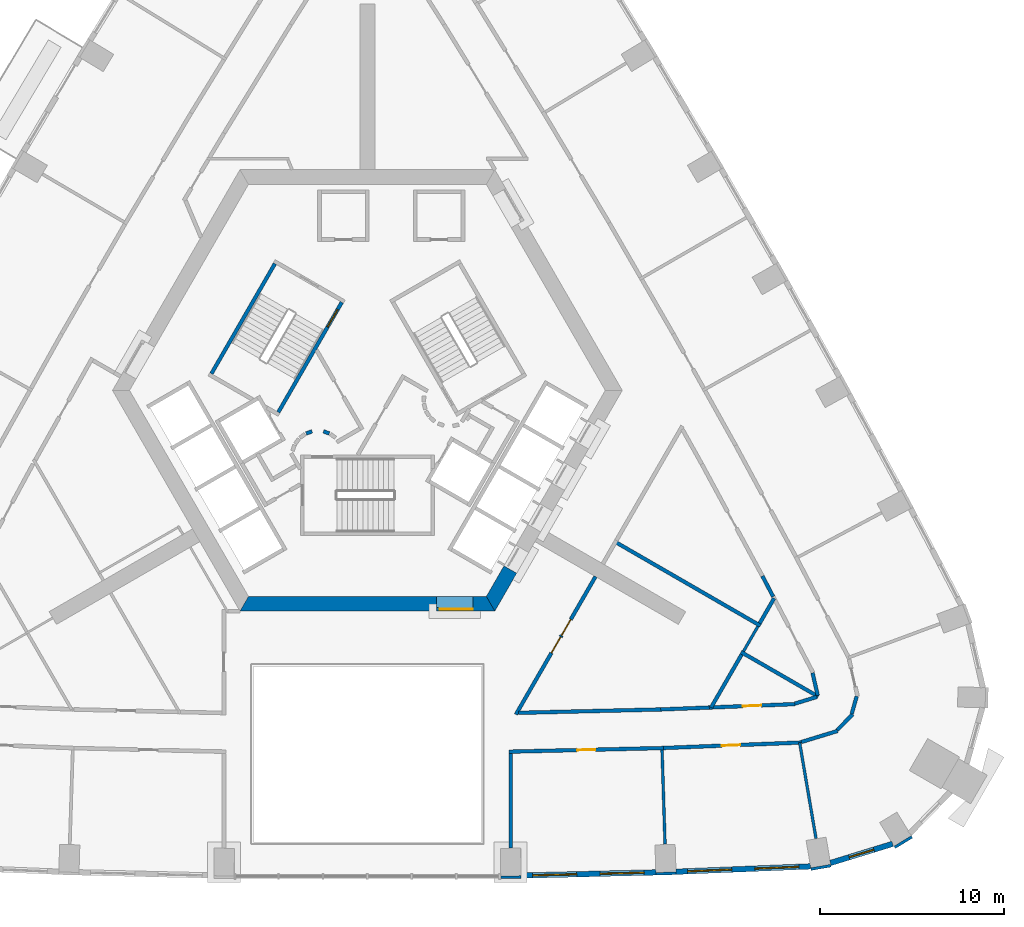
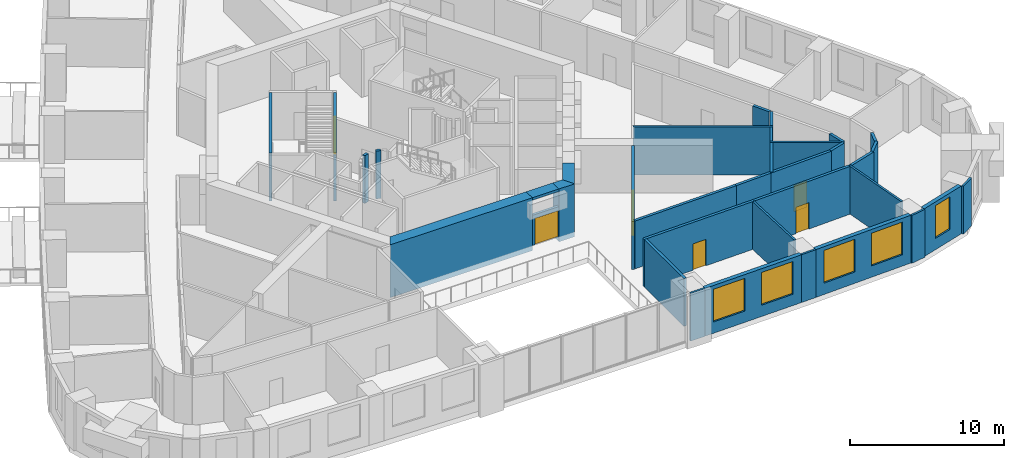
# One storey, part 6 of 14: 36 walls, 7 doors, 5 windows, 12 openings.
"""IFC4 building model written with IfcOpenShell, lengths in metres."""

from ifc_helpers import new_model, si_unit, direction, frame, frame_2d, origin, place, context, subcontext, project, spatial, polyline, rectangle, outline, extrude, material, layer, layer_set, type_object, element, fill, save


model = new_model("IFC4")

# Units and contexts
model_context = context("Model", 3, precision=1e-05, world=origin(), true_north=direction((0.0, 1.0)))
body_context = subcontext(model_context, "Body", "Model", "MODEL_VIEW")
ifc_project = project(units=[si_unit("LENGTHUNIT", "METRE"), si_unit("AREAUNIT", "SQUARE_METRE"), si_unit("VOLUMEUNIT", "CUBIC_METRE"), si_unit("PLANEANGLEUNIT", "RADIAN"), si_unit("MASSUNIT", "GRAM", prefix="KILO")], contexts=[model_context])

# Site, building, storey
site_placement = place(None, origin())
site = spatial("IfcSite", under=ifc_project, at=site_placement, CompositionType="ELEMENT")
building_placement = place(site_placement, origin())
building = spatial("IfcBuilding", under=site, at=building_placement, Name="Entoto Arch Interchange Tower", CompositionType="ELEMENT")
storey_placement = place(building_placement, frame((0.0, 0.0, 146.60009765625)))
storey = spatial("IfcBuildingStorey", under=building, at=storey_placement, Name="L32", CompositionType="ELEMENT", Elevation=146.60009765625)

# Wall, opening, door
ifc_material_1 = material(Name="Reinforced concrete C40/50", Category="concrete")
ifc_layer_1 = layer(ifc_material_1, 0.199951171875)
ifc_layer_set_1 = layer_set([ifc_layer_1], Name="Reinforced concrete C40/50")
wall_type_1 = type_object("IfcWallType", Name="CORE GAP INFILL WALL", PredefinedType="PARTITIONING", material=ifc_layer_set_1)
wall_1_placement = place(storey_placement, frame((3.75, -9.39990234375, 0.0), z_axis=(0.0, 0.0, 1.0), x_axis=(1.0, 0.0, 0.0)))
wall_1 = element("IfcWall", 1, at=wall_1_placement, inside=storey, type_object=wall_type_1, Name="wall:L32:gap1", PredefinedType="PARTITIONING", context=body_context, shape_type="SweptSolid", body=[
    extrude(rectangle(XDim=2.0, YDim=0.199951171875, at=frame_2d((1.0, 0.0))), origin(), (0.0, 0.0, 1.0), 2.39990234375),
])
opening_1_placement = place(wall_1_placement, frame((0.18994140625, 0.0, 0.0)))
opening_1 = element("IfcOpeningElement", 2, at=opening_1_placement, cuts=wall_1, Name="Opening L32-D91", PredefinedType="OPENING", context=body_context, shape_type="SweptSolid", body=[
    extrude(rectangle(XDim=1.800048828125, YDim=2.10009765625, at=frame_2d((0.89990234375, 1.050048828125))), frame((0.0, 0.10986328125, 0.0), z_axis=(0.0, -1.0, 0.0), x_axis=(1.0, 0.0, 0.0)), (0.0, 0.0, 1.0), 0.219970703125),
])
ifc_material_2 = material(Name="Fire-rated Steel S235 door and frame", Category="steel")
door_type_1 = type_object("IfcDoorType", Name="DOOR FD-18 1800x2100", OperationType="DOUBLE_DOOR_SINGLE_SWING", PredefinedType="DOOR", material=ifc_material_2)
door_1_placement = place(opening_1_placement, origin())
door_1 = element("IfcDoor", 3, at=door_1_placement, inside=storey, type_object=door_type_1, Name="door:L32:gap1", OperationType="DOUBLE_DOOR_SINGLE_SWING", OverallHeight=2.10009765625, OverallWidth=1.800048828125, PredefinedType="DOOR", context=body_context, shape_type="SweptSolid", body=[
    extrude(rectangle(XDim=1.800048828125, YDim=2.10009765625, at=frame_2d((0.89990234375, 1.050048828125))), frame((0.0, 0.02490234375, 0.0), z_axis=(0.0, -1.0, 0.0), x_axis=(1.0, 0.0, 0.0)), (0.0, 0.0, 1.0), 0.050048828125),
])
fill(opening_1, door_1)

# Walls
ifc_material_3 = material(Name="Concrete C50/60", Category="concrete")
ifc_layer_2 = layer(ifc_material_3, 0.800048828125)
ifc_layer_set_2 = layer_set([ifc_layer_2], Name="Concrete C50/60")
wall_type_2 = type_object("IfcWallType", Name="Core wall 800 C50/60", PredefinedType="SHEAR", material=ifc_layer_set_2)
wall_2_placement = place(storey_placement, frame((0.0, 0.0, -0.400146484375)))
element("IfcWall", 4, at=wall_2_placement, inside=storey, type_object=wall_type_2, Name="Core wall S L32", PredefinedType="SHEAR", context=body_context, shape_type="SweptSolid", body=[
    extrude(outline(polyline([(3.75, -9.5), (3.75, -8.699951171875), (-6.466064453125, -8.699951171875), (-6.927978515625, -9.5), (3.75, -9.5)])), origin(), (0.0, 0.0, 1.0), 4.199951171875),
])
wall_3_placement = place(storey_placement, frame((0.0, 0.0, -0.400146484375)))
element("IfcWall", 5, at=wall_3_placement, inside=storey, type_object=wall_type_2, Name="Core wall S L32", PredefinedType="SHEAR", context=body_context, shape_type="SweptSolid", body=[
    extrude(outline(polyline([(5.75, -8.699951171875), (5.75, -9.5), (6.927978515625, -9.5), (6.466064453125, -8.699951171875), (5.75, -8.699951171875)])), origin(), (0.0, 0.0, 1.0), 4.199951171875),
])
wall_4_placement = place(storey_placement, frame((0.0, 0.0, 3.599853515625)))
element("IfcWall", 6, at=wall_4_placement, inside=storey, type_object=wall_type_2, Name="Core wall lintel S L32", PredefinedType="SHEAR", context=body_context, shape_type="SweptSolid", body=[
    extrude(outline(polyline([(5.75, -9.5), (5.75, -8.699951171875), (3.75, -8.699951171875), (3.75, -9.5), (5.75, -9.5)])), origin(), (0.0, 0.0, 1.0), 0.199951171875),
])
wall_5_placement = place(storey_placement, frame((0.0, 0.0, -0.400146484375)))
element("IfcWall", 7, at=wall_5_placement, inside=storey, type_object=wall_type_2, Name="Core wall SE L32", PredefinedType="SHEAR", context=body_context, shape_type="SweptSolid", body=[
    extrude(outline(polyline([(8.116943359375, -7.43994140625), (7.424072265625, -7.0400390625), (6.466064453125, -8.699951171875), (6.927978515625, -9.5), (8.116943359375, -7.43994140625)])), origin(), (0.0, 0.0, 1.0), 4.199951171875),
])
ifc_material_4 = material(Name="Gypsum board partition on steel studs", Category="steel")
ifc_layer_3 = layer(ifc_material_4, 0.14990234375)
ifc_layer_set_3 = layer_set([ifc_layer_3], Name="Gypsum board partition on steel studs")
wall_type_3 = type_object("IfcWallType", Name="PARTITION 150", PredefinedType="PARTITIONING", material=ifc_layer_set_3)
wall_6_placement = place(storey_placement, frame((21.22802734375, -10.3310546875, 0.0), z_axis=(0.0, 0.0, 1.0), x_axis=(-0.499920861661, -0.866071089505, 0.0)))
element("IfcWall", 8, at=wall_6_placement, inside=storey, type_object=wall_type_3, Name="wall:L32:p111", PredefinedType="PARTITIONING", context=body_context, shape_type="SweptSolid", body=[
    extrude(rectangle(XDim=1.562255859375, YDim=0.14990234375, at=frame_2d((0.78125, 0.0))), origin(), (0.0, 0.0, 1.0), 3.7998046875),
])
wall_7_placement = place(storey_placement, frame((16.01806640625, -17.044921875, 0.0), z_axis=(0.0, 0.0, 1.0), x_axis=(0.031744385759, -0.999496019988, 0.0)))
element("IfcWall", 9, at=wall_7_placement, inside=storey, type_object=wall_type_3, Name="wall:L32:p123", PredefinedType="PARTITIONING", context=body_context, shape_type="SweptSolid", body=[
    extrude(rectangle(XDim=5.1298828125, YDim=0.14990234375, at=frame_2d((2.56494140625, 0.0))), origin(), (0.0, 0.0, 1.0), 3.7998046875),
])
wall_8_placement = place(storey_placement, frame((23.498046875, -16.64599609375, 0.0), z_axis=(0.0, 0.0, 1.0), x_axis=(0.168275674737, -0.985739974482, 0.0)))
element("IfcWall", 10, at=wall_8_placement, inside=storey, type_object=wall_type_3, Name="wall:L32:p124", PredefinedType="PARTITIONING", context=body_context, shape_type="SweptSolid", body=[
    extrude(rectangle(XDim=5.288330078125, YDim=0.14990234375, at=frame_2d((2.64404296875, 0.0))), origin(), (0.0, 0.0, 1.0), 3.7998046875),
])
ifc_layer_4 = layer(ifc_material_4, 0.199951171875)
ifc_layer_set_4 = layer_set([ifc_layer_4], Name="Gypsum board partition on steel studs")
wall_type_4 = type_object("IfcWallType", Name="PARTITION 200", PredefinedType="PARTITIONING", material=ifc_layer_set_4)
wall_9_placement = place(storey_placement, frame((8.222900390625, -15.029052734375, 0.0), z_axis=(0.0, 0.0, 1.0), x_axis=(0.99971920994, 0.023696018186, 0.0)))
element("IfcWall", 11, at=wall_9_placement, inside=storey, type_object=wall_type_4, Name="wall:L32:p013", PredefinedType="PARTITIONING", context=body_context, shape_type="SweptSolid", body=[
    extrude(rectangle(XDim=7.727294921875, YDim=0.199951171875, at=frame_2d((3.86376953125, 0.0))), origin(), (0.0, 0.0, 1.0), 3.7998046875),
])
wall_10_placement = place(storey_placement, frame((15.947998046875, -14.845947265625, 0.0), z_axis=(0.0, 0.0, 1.0), x_axis=(0.999208477774, 0.039779617206, 0.0)))
element("IfcWall", 12, at=wall_10_placement, inside=storey, type_object=wall_type_4, Name="wall:L32:p014", PredefinedType="PARTITIONING", context=body_context, shape_type="SweptSolid", body=[
    extrude(rectangle(XDim=2.63916015625, YDim=0.199951171875, at=frame_2d((1.319580078125, 0.0))), origin(), (0.0, 0.0, 1.0), 3.7998046875),
])
wall_11_placement = place(storey_placement, frame((22.06298828125, -8.717041015625, 0.0), z_axis=(0.0, 0.0, 1.0), x_axis=(-0.463776683525, 0.885952136302, 0.0)))
element("IfcWall", 13, at=wall_11_placement, inside=storey, type_object=wall_type_4, Name="wall:L32:p015", PredefinedType="PARTITIONING", context=body_context, shape_type="SweptSolid", body=[
    extrude(rectangle(XDim=1.267578125, YDim=0.199951171875, at=frame_2d((0.6337890625, 0.0))), origin(), (0.0, 0.0, 1.0), 3.7998046875),
])

# Wall, opening, door
wall_12_placement = place(storey_placement, frame((18.5849609375, -14.740966796875, 0.0), z_axis=(0.0, 0.0, 1.0), x_axis=(0.99920304932, 0.039915739113, 0.0)))
wall_12 = element("IfcWall", 14, at=wall_12_placement, inside=storey, type_object=wall_type_4, Name="wall:L32:p018", PredefinedType="PARTITIONING", context=body_context, shape_type="SweptSolid", body=[
    extrude(rectangle(XDim=4.66064453125, YDim=0.199951171875, at=frame_2d((2.330322265625, 0.0))), origin(), (0.0, 0.0, 1.0), 3.7998046875),
])
opening_2_placement = place(wall_12_placement, frame((1.830078125, 0.0, 0.0)))
opening_2 = element("IfcOpeningElement", 15, at=opening_2_placement, cuts=wall_12, Name="Opening L32-D21", PredefinedType="OPENING", context=body_context, shape_type="SweptSolid", body=[
    extrude(rectangle(XDim=1.0, YDim=2.10009765625, at=frame_2d((0.5, 1.050048828125))), frame((0.0, 0.10986328125, 0.0), z_axis=(0.0, -1.0, 0.0), x_axis=(1.0, 0.0, 0.0)), (0.0, 0.0, 1.0), 0.219970703125),
])
ifc_material_5 = material(Name="Timber door leaf in Steel S235 frame", Category="steel")
door_type_2 = type_object("IfcDoorType", Name="DOOR DS-10 1000x2100", OperationType="SINGLE_SWING_LEFT", PredefinedType="DOOR", material=ifc_material_5)
door_2_placement = place(opening_2_placement, origin())
door_2 = element("IfcDoor", 16, at=door_2_placement, inside=storey, type_object=door_type_2, Name="door:L32:21", OperationType="SINGLE_SWING_LEFT", OverallHeight=2.10009765625, OverallWidth=1.0, PredefinedType="DOOR", context=body_context, shape_type="SweptSolid", body=[
    extrude(rectangle(XDim=1.0, YDim=2.10009765625, at=frame_2d((0.5, 1.050048828125))), frame((0.0, 0.02490234375, 0.0), z_axis=(0.0, -1.0, 0.0), x_axis=(1.0, 0.0, 0.0)), (0.0, 0.0, 1.0), 0.050048828125),
])
fill(opening_2, door_2)

# Walls
wall_13_placement = place(storey_placement, frame((23.238037109375, -14.529052734375, 0.0), z_axis=(0.0, 0.0, 1.0), x_axis=(0.956086269468, 0.293085389152, 0.0)))
element("IfcWall", 17, at=wall_13_placement, inside=storey, type_object=wall_type_4, Name="wall:L32:p019", PredefinedType="PARTITIONING", context=body_context, shape_type="SweptSolid", body=[
    extrude(rectangle(XDim=1.251953125, YDim=0.199951171875, at=frame_2d((0.6259765625, 0.0))), origin(), (0.0, 0.0, 1.0), 3.7998046875),
])
wall_14_placement = place(storey_placement, frame((24.48193359375, -14.0810546875, 0.0), z_axis=(0.0, 0.0, 1.0), x_axis=(-0.223967203961, 0.974596681479, 0.0)))
element("IfcWall", 18, at=wall_14_placement, inside=storey, type_object=wall_type_4, Name="wall:L32:p020", PredefinedType="PARTITIONING", context=body_context, shape_type="SweptSolid", body=[
    extrude(rectangle(XDim=1.259033203125, YDim=0.199951171875, at=frame_2d((0.62939453125, 0.0))), origin(), (0.0, 0.0, 1.0), 3.7998046875),
])

# Wall, opening, door
wall_15_placement = place(storey_placement, frame((16.090087890625, -16.943115234375, 0.0), z_axis=(0.0, 0.0, 1.0), x_axis=(-0.999721662071, -0.023592337425, 0.0)))
wall_15 = element("IfcWall", 19, at=wall_15_placement, inside=storey, type_object=wall_type_4, Name="wall:L32:p032", PredefinedType="PARTITIONING", context=body_context, shape_type="SweptSolid", body=[
    extrude(rectangle(XDim=8.392578125, YDim=0.199951171875, at=frame_2d((4.1962890625, 0.0))), origin(), (0.0, 0.0, 1.0), 3.7998046875),
])
opening_3_placement = place(wall_15_placement, frame((3.696044921875, 0.0, 0.0)))
opening_3 = element("IfcOpeningElement", 20, at=opening_3_placement, cuts=wall_15, Name="Opening L32-D01", PredefinedType="OPENING", context=body_context, shape_type="SweptSolid", body=[
    extrude(rectangle(XDim=1.0, YDim=2.10009765625, at=frame_2d((0.5, 1.050048828125))), frame((0.0, 0.10986328125, 0.0), z_axis=(0.0, -1.0, 0.0), x_axis=(1.0, 0.0, 0.0)), (0.0, 0.0, 1.0), 0.219970703125),
])
door_3_placement = place(opening_3_placement, origin())
door_3 = element("IfcDoor", 21, at=door_3_placement, inside=storey, type_object=door_type_2, Name="door:L32:01", OperationType="SINGLE_SWING_RIGHT", OverallHeight=2.10009765625, OverallWidth=1.0, PredefinedType="DOOR", context=body_context, shape_type="SweptSolid", body=[
    extrude(rectangle(XDim=1.0, YDim=2.10009765625, at=frame_2d((0.5, 1.050048828125))), frame((0.0, 0.02490234375, 0.0), z_axis=(0.0, -1.0, 0.0), x_axis=(1.0, 0.0, 0.0)), (0.0, 0.0, 1.0), 0.050048828125),
])
fill(opening_3, door_3)

wall_16_placement = place(storey_placement, frame((23.597900390625, -16.64208984375, 0.0), z_axis=(0.0, 0.0, 1.0), x_axis=(-0.999203655486, -0.039900562205, 0.0)))
wall_16 = element("IfcWall", 22, at=wall_16_placement, inside=storey, type_object=wall_type_4, Name="wall:L32:p033", PredefinedType="PARTITIONING", context=body_context, shape_type="SweptSolid", body=[
    extrude(rectangle(XDim=7.513916015625, YDim=0.199951171875, at=frame_2d((3.7568359375, 0.0))), origin(), (0.0, 0.0, 1.0), 3.7998046875),
])
opening_4_placement = place(wall_16_placement, frame((3.33203125, 0.0, 0.0)))
opening_4 = element("IfcOpeningElement", 23, at=opening_4_placement, cuts=wall_16, Name="Opening L32-D02", PredefinedType="OPENING", context=body_context, shape_type="SweptSolid", body=[
    extrude(rectangle(XDim=1.0, YDim=2.10009765625, at=frame_2d((0.5, 1.050048828125))), frame((0.0, 0.10986328125, 0.0), z_axis=(0.0, -1.0, 0.0), x_axis=(1.0, 0.0, 0.0)), (0.0, 0.0, 1.0), 0.219970703125),
])
door_4_placement = place(opening_4_placement, origin())
door_4 = element("IfcDoor", 24, at=door_4_placement, inside=storey, type_object=door_type_2, Name="door:L32:02", OperationType="SINGLE_SWING_LEFT", OverallHeight=2.10009765625, OverallWidth=1.0, PredefinedType="DOOR", context=body_context, shape_type="SweptSolid", body=[
    extrude(rectangle(XDim=1.0, YDim=2.10009765625, at=frame_2d((0.5, 1.050048828125))), frame((0.0, 0.02490234375, 0.0), z_axis=(0.0, -1.0, 0.0), x_axis=(1.0, 0.0, 0.0)), (0.0, 0.0, 1.0), 0.050048828125),
])
fill(opening_4, door_4)

# Walls
wall_17_placement = place(storey_placement, frame((26.59912109375, -14.132080078125, 0.0), z_axis=(0.0, 0.0, 1.0), x_axis=(-0.270631784819, -0.962682936925, 0.0)))
element("IfcWall", 25, at=wall_17_placement, inside=storey, type_object=wall_type_4, Name="wall:L32:p035", PredefinedType="PARTITIONING", context=body_context, shape_type="SweptSolid", body=[
    extrude(rectangle(XDim=0.994140625, YDim=0.199951171875, at=frame_2d((0.4970703125, 0.0))), origin(), (0.0, 0.0, 1.0), 3.7998046875),
])
wall_18_placement = place(storey_placement, frame((26.373046875, -15.114013671875, 0.0), z_axis=(0.0, 0.0, 1.0), x_axis=(-0.698272822523, -0.715831729756, 0.0)))
element("IfcWall", 26, at=wall_18_placement, inside=storey, type_object=wall_type_4, Name="wall:L32:p036", PredefinedType="PARTITIONING", context=body_context, shape_type="SweptSolid", body=[
    extrude(rectangle(XDim=1.19580078125, YDim=0.199951171875, at=frame_2d((0.597900390625, 0.0))), origin(), (0.0, 0.0, 1.0), 3.7998046875),
])
wall_19_placement = place(storey_placement, frame((25.56298828125, -16.011962890625, 0.0), z_axis=(0.0, 0.0, 1.0), x_axis=(-0.955896815358, -0.293702704087, 0.0)))
element("IfcWall", 27, at=wall_19_placement, inside=storey, type_object=wall_type_4, Name="wall:L32:p037", PredefinedType="PARTITIONING", context=body_context, shape_type="SweptSolid", body=[
    extrude(rectangle(XDim=2.059814453125, YDim=0.199951171875, at=frame_2d((1.02978515625, 0.0))), origin(), (0.0, 0.0, 1.0), 3.7998046875),
])
wall_20_placement = place(storey_placement, frame((-2.070068359375, 0.159912109375, 0.0), z_axis=(0.0, 0.0, 1.0), x_axis=(-0.942199461132, 0.335052496547, 0.0)))
element("IfcWall", 28, at=wall_20_placement, inside=storey, type_object=wall_type_4, Name="wall:L32:p098", PredefinedType="PARTITIONING", context=body_context, shape_type="SweptSolid", body=[
    extrude(rectangle(XDim=0.33740234375, YDim=0.199951171875, at=frame_2d((0.168701171875, 0.0))), origin(), (0.0, 0.0, 1.0), 3.7998046875),
])
wall_21_placement = place(storey_placement, frame((-3.011962890625, 0.27294921875, 0.0), z_axis=(0.0, 0.0, 1.0), x_axis=(-0.942280615813, -0.334824194261, 0.0)))
element("IfcWall", 29, at=wall_21_placement, inside=storey, type_object=wall_type_4, Name="wall:L32:p099", PredefinedType="PARTITIONING", context=body_context, shape_type="SweptSolid", body=[
    extrude(rectangle(XDim=0.337646484375, YDim=0.199951171875, at=frame_2d((0.1689453125, 0.0))), origin(), (0.0, 0.0, 1.0), 3.7998046875),
])
wall_22_placement = place(storey_placement, frame((7.800048828125, -17.239013671875, 0.0), z_axis=(0.0, 0.0, 1.0), x_axis=(0.0, -1.0, 0.0)))
element("IfcWall", 30, at=wall_22_placement, inside=storey, type_object=wall_type_4, Name="wall:L32:p105", PredefinedType="PARTITIONING", context=body_context, shape_type="SweptSolid", body=[
    extrude(rectangle(XDim=5.132080078125, YDim=0.199951171875, at=frame_2d((2.56591796875, 0.0))), origin(), (0.0, 0.0, 1.0), 3.7998046875),
])
wall_23_placement = place(storey_placement, frame((13.485107421875, -5.743896484375, 0.0), z_axis=(0.0, 0.0, 1.0), x_axis=(0.865950545648, -0.500129635687, 0.0)))
element("IfcWall", 31, at=wall_23_placement, inside=storey, type_object=wall_type_4, Name="wall:L32:p109", PredefinedType="PARTITIONING", context=body_context, shape_type="SweptSolid", body=[
    extrude(rectangle(XDim=9.099609375, YDim=0.199951171875, at=frame_2d((4.5498046875, 0.0))), origin(), (0.0, 0.0, 1.0), 3.7998046875),
])
wall_24_placement = place(storey_placement, frame((20.346923828125, -11.85791015625, 0.0), z_axis=(0.0, 0.0, 1.0), x_axis=(-0.49990681678, -0.866079196458, 0.0)))
element("IfcWall", 32, at=wall_24_placement, inside=storey, type_object=wall_type_4, Name="wall:L32:p110", PredefinedType="PARTITIONING", context=body_context, shape_type="SweptSolid", body=[
    extrude(rectangle(XDim=3.324462890625, YDim=0.199951171875, at=frame_2d((1.662109375, 0.0))), origin(), (0.0, 0.0, 1.0), 3.7998046875),
])
wall_25_placement = place(storey_placement, frame((22.10888671875, -8.804931640625, 0.0), z_axis=(0.0, 0.0, 1.0), x_axis=(-0.499920861661, -0.866071089505, 0.0)))
element("IfcWall", 33, at=wall_25_placement, inside=storey, type_object=wall_type_4, Name="wall:L32:p112", PredefinedType="PARTITIONING", context=body_context, shape_type="SweptSolid", body=[
    extrude(rectangle(XDim=1.562255859375, YDim=0.199951171875, at=frame_2d((0.78125, 0.0))), origin(), (0.0, 0.0, 1.0), 3.7998046875),
])
wall_26_placement = place(storey_placement, frame((20.31005859375, -11.720947265625, 0.0), z_axis=(0.0, 0.0, 1.0), x_axis=(0.86603399059, -0.499985126921, 0.0)))
element("IfcWall", 34, at=wall_26_placement, inside=storey, type_object=wall_type_4, Name="wall:L32:p113", PredefinedType="PARTITIONING", context=body_context, shape_type="SweptSolid", body=[
    extrude(rectangle(XDim=4.854248046875, YDim=0.199951171875, at=frame_2d((2.42724609375, 0.0))), origin(), (0.0, 0.0, 1.0), 3.7998046875),
])

# Wall, openings, doors
wall_27_placement = place(storey_placement, frame((12.40087890625, -7.62109375, 0.0), z_axis=(0.0, 0.0, 1.0), x_axis=(-0.499964151829, -0.866046099747, 0.0)))
wall_27 = element("IfcWall", 35, at=wall_27_placement, inside=storey, type_object=wall_type_4, Name="wall:L32:p107", PredefinedType="PARTITIONING", context=body_context, shape_type="SweptSolid", body=[
    extrude(rectangle(XDim=8.656494140625, YDim=0.199951171875, at=frame_2d((4.328125, 0.0))), origin(), (0.0, 0.0, 1.0), 3.7998046875),
])
opening_5_placement = place(wall_27_placement, frame((2.694091796875, 0.0, 0.0)))
opening_5 = element("IfcOpeningElement", 36, at=opening_5_placement, cuts=wall_27, Name="Opening L32-D19", PredefinedType="OPENING", context=body_context, shape_type="SweptSolid", body=[
    extrude(rectangle(XDim=1.0, YDim=2.10009765625, at=frame_2d((0.5, 1.050048828125))), frame((0.0, 0.10986328125, 0.0), z_axis=(0.0, -1.0, 0.0), x_axis=(1.0, 0.0, 0.0)), (0.0, 0.0, 1.0), 0.219970703125),
])
opening_6_placement = place(wall_27_placement, frame((3.7939453125, 0.0, 0.0)))
opening_6 = element("IfcOpeningElement", 37, at=opening_6_placement, cuts=wall_27, Name="Opening L32-D37", PredefinedType="OPENING", context=body_context, shape_type="SweptSolid", body=[
    extrude(rectangle(XDim=1.0, YDim=2.10009765625, at=frame_2d((0.5, 1.050048828125))), frame((0.0, 0.10986328125, 0.0), z_axis=(0.0, -1.0, 0.0), x_axis=(1.0, 0.0, 0.0)), (0.0, 0.0, 1.0), 0.219970703125),
])
door_5_placement = place(opening_5_placement, origin())
door_5 = element("IfcDoor", 38, at=door_5_placement, inside=storey, type_object=door_type_2, Name="door:L32:19", OperationType="SINGLE_SWING_LEFT", OverallHeight=2.10009765625, OverallWidth=1.0, PredefinedType="DOOR", context=body_context, shape_type="SweptSolid", body=[
    extrude(rectangle(XDim=1.0, YDim=2.10009765625, at=frame_2d((0.5, 1.050048828125))), frame((0.0, 0.02490234375, 0.0), z_axis=(0.0, -1.0, 0.0), x_axis=(1.0, 0.0, 0.0)), (0.0, 0.0, 1.0), 0.050048828125),
])
fill(opening_5, door_5)
door_6_placement = place(opening_6_placement, origin())
door_6 = element("IfcDoor", 39, at=door_6_placement, inside=storey, type_object=door_type_2, Name="door:L32:37", OperationType="SINGLE_SWING_RIGHT", OverallHeight=2.10009765625, OverallWidth=1.0, PredefinedType="DOOR", context=body_context, shape_type="SweptSolid", body=[
    extrude(rectangle(XDim=1.0, YDim=2.10009765625, at=frame_2d((0.5, 1.050048828125))), frame((0.0, 0.02490234375, 0.0), z_axis=(0.0, -1.0, 0.0), x_axis=(1.0, 0.0, 0.0)), (0.0, 0.0, 1.0), 0.050048828125),
])
fill(opening_6, door_6)

# Wall, opening, door
ifc_material_6 = material(Name="Concrete C40/50", Category="concrete")
ifc_layer_5 = layer(ifc_material_6, 0.199951171875)
ifc_layer_set_5 = layer_set([ifc_layer_5], Name="Concrete C40/50")
wall_type_5 = type_object("IfcWallType", Name="STAIR ENCLOSURE WALL 200", PredefinedType="STANDARD", material=ifc_layer_set_5)
wall_28_placement = place(storey_placement, frame((-1.39306640625, 7.2880859375, 0.0), z_axis=(0.0, 0.0, 1.0), x_axis=(-0.499963383562, -0.866046543262, 0.0)))
wall_28 = element("IfcWall", 40, at=wall_28_placement, inside=storey, type_object=wall_type_5, Name="Stair wall ST-NW hall", PredefinedType="STANDARD", context=body_context, shape_type="SweptSolid", body=[
    extrude(rectangle(XDim=6.900390625, YDim=0.199951171875, at=frame_2d((3.4501953125, 0.0))), origin(), (0.0, 0.0, 1.0), 3.7998046875),
])
opening_7_placement = place(wall_28_placement, frame((0.449951171875, 0.0, 0.0)))
opening_7 = element("IfcOpeningElement", 41, at=opening_7_placement, cuts=wall_28, Name="Opening SD-ST-NW-L32", PredefinedType="OPENING", context=body_context, shape_type="SweptSolid", body=[
    extrude(rectangle(XDim=1.10009765625, YDim=2.199951171875, at=frame_2d((0.550048828125, 1.10009765625))), frame((0.0, 0.10986328125, 0.0), z_axis=(0.0, -1.0, 0.0), x_axis=(1.0, 0.0, 0.0)), (0.0, 0.0, 1.0), 0.219970703125),
])
ifc_material_7 = material(Name="Steel S235", Category="steel")
door_type_3 = type_object("IfcDoorType", Name="STAIR DOOR SD1 1100x2200", OperationType="SINGLE_SWING_LEFT", PredefinedType="DOOR", material=ifc_material_7)
door_7_placement = place(opening_7_placement, origin())
door_7 = element("IfcDoor", 42, at=door_7_placement, inside=storey, type_object=door_type_3, Name="Stair door ST-NW L32", OperationType="SINGLE_SWING_LEFT", OverallHeight=2.199951171875, OverallWidth=1.10009765625, PredefinedType="DOOR", context=body_context, shape_type="SweptSolid", body=[
    extrude(rectangle(XDim=1.10009765625, YDim=2.199951171875, at=frame_2d((0.550048828125, 1.10009765625))), frame((0.0, 0.02490234375, 0.0), z_axis=(0.0, -1.0, 0.0), x_axis=(1.0, 0.0, 0.0)), (0.0, 0.0, 1.0), 0.050048828125),
])
fill(opening_7, door_7)

# Wall
wall_29_placement = place(storey_placement, frame((-5.030029296875, 9.387939453125, 0.0), z_axis=(0.0, 0.0, 1.0), x_axis=(-0.499978703459, -0.866037698999, 0.0)))
element("IfcWall", 43, at=wall_29_placement, inside=storey, type_object=wall_type_5, Name="Stair wall ST-NW back", PredefinedType="STANDARD", context=body_context, shape_type="SweptSolid", body=[
    extrude(rectangle(XDim=6.900146484375, YDim=0.199951171875, at=frame_2d((3.4501953125, 0.0))), origin(), (0.0, 0.0, 1.0), 3.7998046875),
])

# Wall, openings, windows
ifc_material_8 = material(Name="Welded tuff (ignimbrite) cladding, warm buff", Category="masonry")
ifc_layer_6 = layer(ifc_material_8, 0.300048828125)
ifc_layer_set_6 = layer_set([ifc_layer_6], Name="Welded tuff (ignimbrite) cladding, warm buff")
wall_type_6 = type_object("IfcWallType", Name="STONE INFILL WALL 300", PredefinedType="STANDARD", material=ifc_layer_set_6)
wall_30_placement = place(storey_placement, frame((8.346923828125, -23.8779296875, 0.0), z_axis=(0.0, 0.0, 1.0), x_axis=(0.999722302867, 0.023565168146, 0.0)))
wall_30 = element("IfcWall", 44, at=wall_30_placement, inside=storey, type_object=wall_type_6, Name="Facade wall S-04 L32", PredefinedType="STANDARD", context=body_context, shape_type="SweptSolid", body=[
    extrude(rectangle(XDim=7.3349609375, YDim=0.300048828125, at=frame_2d((3.66748046875, 0.0))), origin(), (0.0, 0.0, 1.0), 3.7998046875),
])
opening_8_placement = place(wall_30_placement, frame((0.634033203125, 0.0, 0.89990234375)))
opening_8 = element("IfcOpeningElement", 45, at=opening_8_placement, cuts=wall_30, Name="Opening WO-A", PredefinedType="OPENING", context=body_context, shape_type="SweptSolid", body=[
    extrude(rectangle(XDim=2.39990234375, YDim=2.60009765625, at=frame_2d((1.199951171875, 1.300048828125))), frame((0.0, 0.16015625, 0.0), z_axis=(0.0, -1.0, 0.0), x_axis=(1.0, 0.0, 0.0)), (0.0, 0.0, 1.0), 0.320068359375),
])
opening_9_placement = place(wall_30_placement, frame((4.301025390625, 0.0, 0.89990234375)))
opening_9 = element("IfcOpeningElement", 46, at=opening_9_placement, cuts=wall_30, Name="Opening WO-A", PredefinedType="OPENING", context=body_context, shape_type="SweptSolid", body=[
    extrude(rectangle(XDim=2.39990234375, YDim=2.60009765625, at=frame_2d((1.199951171875, 1.300048828125))), frame((0.0, 0.16015625, 0.0), z_axis=(0.0, -1.0, 0.0), x_axis=(1.0, 0.0, 0.0)), (0.0, 0.0, 1.0), 0.320068359375),
])
ifc_material_9 = material(Name="Clear glass, low-e double glazed", Category="glass")
window_type_1 = type_object("IfcWindowType", Name="WINDOW WO-A 2400x2600", PartitioningType="DOUBLE_PANEL_VERTICAL", PredefinedType="WINDOW", material=ifc_material_9)
window_1_placement = place(opening_8_placement, origin())
window_1 = element("IfcWindow", 47, at=window_1_placement, inside=storey, type_object=window_type_1, Name="Window WO-A S-04 L32", OverallHeight=2.60009765625, OverallWidth=2.39990234375, PartitioningType="SINGLE_PANEL", PredefinedType="WINDOW", context=body_context, shape_type="SweptSolid", body=[
    extrude(rectangle(XDim=2.39990234375, YDim=2.60009765625, at=frame_2d((1.199951171875, 1.300048828125))), frame((0.0, 0.030029296875, 0.0), z_axis=(0.0, -1.0, 0.0), x_axis=(1.0, 0.0, 0.0)), (0.0, 0.0, 1.0), 0.06005859375),
])
fill(opening_8, window_1)
window_2_placement = place(opening_9_placement, origin())
window_2 = element("IfcWindow", 48, at=window_2_placement, inside=storey, type_object=window_type_1, Name="Window WO-A S-04 L32", OverallHeight=2.60009765625, OverallWidth=2.39990234375, PartitioningType="SINGLE_PANEL", PredefinedType="WINDOW", context=body_context, shape_type="SweptSolid", body=[
    extrude(rectangle(XDim=2.39990234375, YDim=2.60009765625, at=frame_2d((1.199951171875, 1.300048828125))), frame((0.0, 0.030029296875, 0.0), z_axis=(0.0, -1.0, 0.0), x_axis=(1.0, 0.0, 0.0)), (0.0, 0.0, 1.0), 0.06005859375),
])
fill(opening_9, window_2)

wall_31_placement = place(storey_placement, frame((16.778076171875, -23.669921875, 0.0), z_axis=(0.0, 0.0, 1.0), x_axis=(0.999203621229, 0.039901420066, 0.0)))
wall_31 = element("IfcWall", 49, at=wall_31_placement, inside=storey, type_object=wall_type_6, Name="Facade wall S-05 L32", PredefinedType="STANDARD", context=body_context, shape_type="SweptSolid", body=[
    extrude(rectangle(XDim=7.31787109375, YDim=0.300048828125, at=frame_2d((3.658935546875, 0.0))), origin(), (0.0, 0.0, 1.0), 3.7998046875),
])
opening_10_placement = place(wall_31_placement, frame((0.62890625, 0.0, 0.89990234375)))
opening_10 = element("IfcOpeningElement", 50, at=opening_10_placement, cuts=wall_31, Name="Opening WO-A", PredefinedType="OPENING", context=body_context, shape_type="SweptSolid", body=[
    extrude(rectangle(XDim=2.39990234375, YDim=2.60009765625, at=frame_2d((1.199951171875, 1.300048828125))), frame((0.0, 0.16015625, 0.0), z_axis=(0.0, -1.0, 0.0), x_axis=(1.0, 0.0, 0.0)), (0.0, 0.0, 1.0), 0.320068359375),
])
opening_11_placement = place(wall_31_placement, frame((4.2880859375, 0.0, 0.89990234375)))
opening_11 = element("IfcOpeningElement", 51, at=opening_11_placement, cuts=wall_31, Name="Opening WO-A", PredefinedType="OPENING", context=body_context, shape_type="SweptSolid", body=[
    extrude(rectangle(XDim=2.39990234375, YDim=2.60009765625, at=frame_2d((1.199951171875, 1.300048828125))), frame((0.0, 0.16015625, 0.0), z_axis=(0.0, -1.0, 0.0), x_axis=(1.0, 0.0, 0.0)), (0.0, 0.0, 1.0), 0.320068359375),
])
window_3_placement = place(opening_10_placement, origin())
window_3 = element("IfcWindow", 52, at=window_3_placement, inside=storey, type_object=window_type_1, Name="Window WO-A S-05 L32", OverallHeight=2.60009765625, OverallWidth=2.39990234375, PartitioningType="SINGLE_PANEL", PredefinedType="WINDOW", context=body_context, shape_type="SweptSolid", body=[
    extrude(rectangle(XDim=2.39990234375, YDim=2.60009765625, at=frame_2d((1.199951171875, 1.300048828125))), frame((0.0, 0.030029296875, 0.0), z_axis=(0.0, -1.0, 0.0), x_axis=(1.0, 0.0, 0.0)), (0.0, 0.0, 1.0), 0.06005859375),
])
fill(opening_10, window_3)
window_4_placement = place(opening_11_placement, origin())
window_4 = element("IfcWindow", 53, at=window_4_placement, inside=storey, type_object=window_type_1, Name="Window WO-A S-05 L32", OverallHeight=2.60009765625, OverallWidth=2.39990234375, PartitioningType="SINGLE_PANEL", PredefinedType="WINDOW", context=body_context, shape_type="SweptSolid", body=[
    extrude(rectangle(XDim=2.39990234375, YDim=2.60009765625, at=frame_2d((1.199951171875, 1.300048828125))), frame((0.0, 0.030029296875, 0.0), z_axis=(0.0, -1.0, 0.0), x_axis=(1.0, 0.0, 0.0)), (0.0, 0.0, 1.0), 0.06005859375),
])
fill(opening_11, window_4)

# Wall, opening, window
wall_32_placement = place(storey_placement, frame((25.173095703125, -23.193115234375, 0.0), z_axis=(0.0, 0.0, 1.0), x_axis=(0.955874475611, 0.293775402094, 0.0)))
wall_32 = element("IfcWall", 54, at=wall_32_placement, inside=storey, type_object=wall_type_6, Name="Facade wall SE-01 L32", PredefinedType="STANDARD", context=body_context, shape_type="SweptSolid", body=[
    extrude(rectangle(XDim=3.536865234375, YDim=0.300048828125, at=frame_2d((1.7685546875, 0.0))), origin(), (0.0, 0.0, 1.0), 3.7998046875),
])
opening_12_placement = place(wall_32_placement, frame((1.069091796875, 0.0, 0.89990234375)))
opening_12 = element("IfcOpeningElement", 55, at=opening_12_placement, cuts=wall_32, Name="Opening WO-B", PredefinedType="OPENING", context=body_context, shape_type="SweptSolid", body=[
    extrude(rectangle(XDim=1.39990234375, YDim=2.60009765625, at=frame_2d((0.699951171875, 1.300048828125))), frame((0.0, 0.16015625, 0.0), z_axis=(0.0, -1.0, 0.0), x_axis=(1.0, 0.0, 0.0)), (0.0, 0.0, 1.0), 0.320068359375),
])
window_type_2 = type_object("IfcWindowType", Name="WINDOW WO-B 1400x2600", PartitioningType="DOUBLE_PANEL_VERTICAL", PredefinedType="WINDOW", material=ifc_material_9)
window_5_placement = place(opening_12_placement, origin())
window_5 = element("IfcWindow", 56, at=window_5_placement, inside=storey, type_object=window_type_2, Name="Window WO-B SE-01 L32", OverallHeight=2.60009765625, OverallWidth=1.39990234375, PartitioningType="SINGLE_PANEL", PredefinedType="WINDOW", context=body_context, shape_type="SweptSolid", body=[
    extrude(rectangle(XDim=1.39990234375, YDim=2.60009765625, at=frame_2d((0.699951171875, 1.300048828125))), frame((0.0, 0.030029296875, 0.0), z_axis=(0.0, -1.0, 0.0), x_axis=(1.0, 0.0, 0.0)), (0.0, 0.0, 1.0), 0.06005859375),
])
fill(opening_12, window_5)

# Walls
ifc_layer_7 = layer(ifc_material_8, 0.14990234375)
ifc_layer_set_7 = layer_set([ifc_layer_7], Name="Welded tuff (ignimbrite) cladding, warm buff")
wall_type_7 = type_object("IfcWallType", Name="STONE PIER CLADDING 150", PredefinedType="STANDARD", material=ifc_layer_set_7)
wall_33_placement = place(storey_placement, frame((7.2490234375, -23.971923828125, 0.0), z_axis=(0.0, 0.0, 1.0), x_axis=(0.999940879068, 0.010873746799, 0.0)))
element("IfcWall", 57, at=wall_33_placement, inside=storey, type_object=wall_type_7, Name="Stone pier S04 L32", PredefinedType="STANDARD", context=body_context, shape_type="SweptSolid", body=[
    extrude(rectangle(XDim=1.10009765625, YDim=0.14990234375, at=frame_2d((0.550048828125, 0.0))), origin(), (0.0, 0.0, 1.0), 3.7998046875),
])
wall_34_placement = place(storey_placement, frame((15.681884765625, -23.783935546875, 0.0), z_axis=(0.0, 0.0, 1.0), x_axis=(0.999523702549, 0.030860460829, 0.0)))
element("IfcWall", 58, at=wall_34_placement, inside=storey, type_object=wall_type_7, Name="Stone pier S05 L32", PredefinedType="STANDARD", context=body_context, shape_type="SweptSolid", body=[
    extrude(rectangle(XDim=1.099609375, YDim=0.14990234375, at=frame_2d((0.5498046875, 0.0))), origin(), (0.0, 0.0, 1.0), 3.7998046875),
])
wall_35_placement = place(storey_placement, frame((24.114013671875, -23.52392578125, 0.0), z_axis=(0.0, 0.0, 1.0), x_axis=(0.985800082077, 0.167923191299, 0.0)))
element("IfcWall", 59, at=wall_35_placement, inside=storey, type_object=wall_type_7, Name="Stone pier S06 L32", PredefinedType="STANDARD", context=body_context, shape_type="SweptSolid", body=[
    extrude(rectangle(XDim=1.1005859375, YDim=0.14990234375, at=frame_2d((0.55029296875, 0.0))), origin(), (0.0, 0.0, 1.0), 3.7998046875),
])
wall_36_placement = place(storey_placement, frame((28.6669921875, -22.342041015625, 0.0), z_axis=(0.0, 0.0, 1.0), x_axis=(0.854005542721, 0.520263907071, 0.0)))
element("IfcWall", 60, at=wall_36_placement, inside=storey, type_object=wall_type_7, Name="Stone pier SE1 L32", PredefinedType="STANDARD", context=body_context, shape_type="SweptSolid", body=[
    extrude(rectangle(XDim=1.099365234375, YDim=0.14990234375, at=frame_2d((0.5498046875, 0.0))), origin(), (0.0, 0.0, 1.0), 3.7998046875),
])

save(model, "model.ifc")
